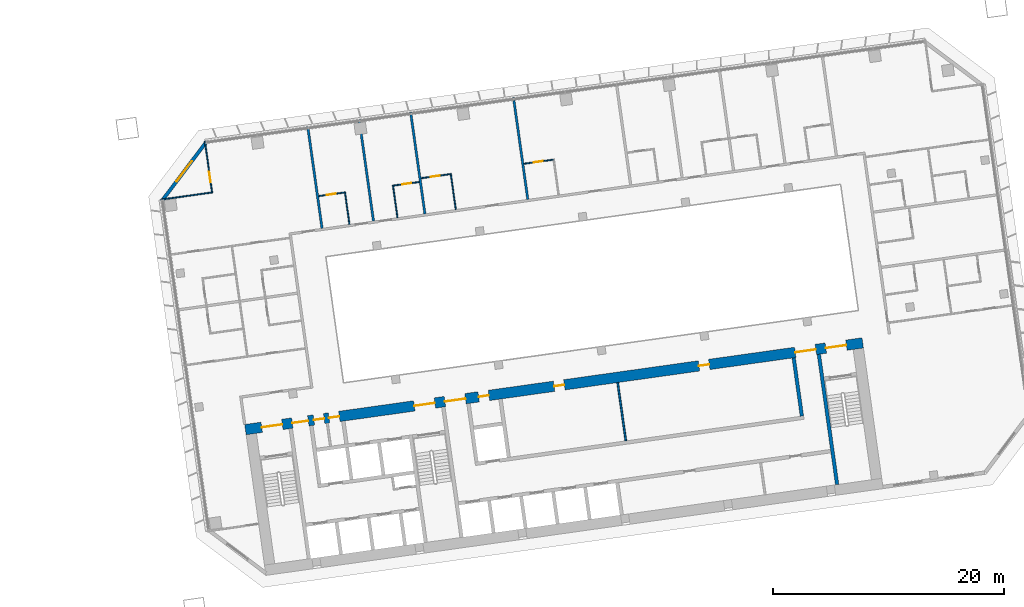
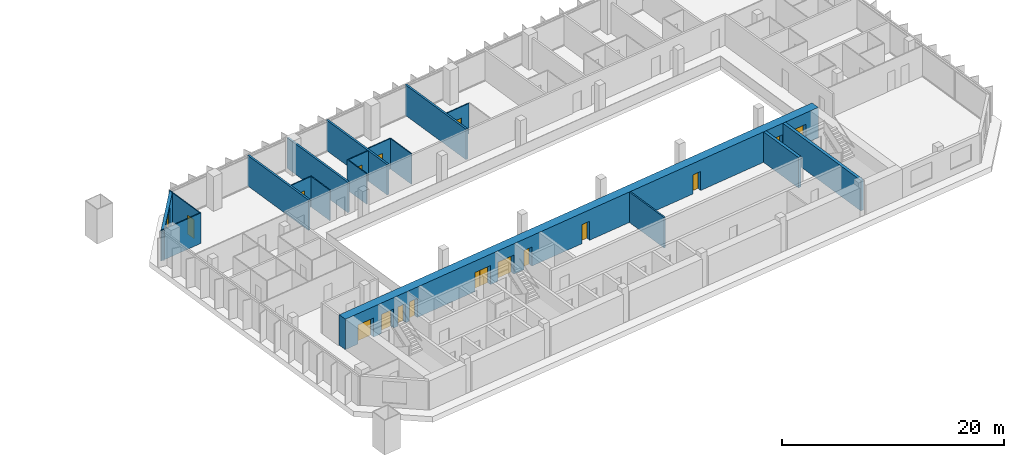
# One storey, part 20 of 25: 18 walls, 16 doors, 1 window, 17 openings.
"""IFC4 building model written with IfcOpenShell, lengths in metres."""

from ifc_helpers import new_model, si_unit, direction, frame, frame_2d, origin, place, context, subcontext, project, spatial, rectangle, extrude, material, layer, layer_set, type_object, element, fill, save


model = new_model("IFC4")

# Units and contexts
model_context = context("Model", 3, precision=1e-05, world=origin(), true_north=direction((0.0, 1.0)))
body_context = subcontext(model_context, "Body", "Model", "MODEL_VIEW")
ifc_project = project(units=[si_unit("LENGTHUNIT", "METRE"), si_unit("AREAUNIT", "SQUARE_METRE"), si_unit("VOLUMEUNIT", "CUBIC_METRE"), si_unit("PLANEANGLEUNIT", "RADIAN"), si_unit("MASSUNIT", "GRAM", prefix="KILO")], contexts=[model_context])

# Site, building, storey
site_placement = place(None, origin())
site = spatial("IfcSite", under=ifc_project, at=site_placement, CompositionType="ELEMENT")
building_placement = place(site_placement, origin())
building = spatial("IfcBuilding", under=site, at=building_placement, Name="Mirante Cascada Hotel Towers", CompositionType="ELEMENT")
storey_placement = place(building_placement, frame((0.0, 0.0, 73.7)))
storey = spatial("IfcBuildingStorey", under=building, at=storey_placement, Name="L15", CompositionType="ELEMENT", Elevation=73.7)

# Walls
ifc_material_1 = material(Name="Fire-rated plasterboard on metal studs")
ifc_layer_1 = layer(ifc_material_1, 0.2)
ifc_layer_set_1 = layer_set([ifc_layer_1], Name="Compartment wall 200 EI 120")
wall_type_1 = type_object("IfcWallType", Name="Compartment wall 200 EI 120", PredefinedType="PARTITIONING", material=ifc_layer_set_1)
for number, where, z_axis, x_axis, name in (
    (1, (40.7243, 18.6939, 0.0), (0.0, 0.0, 1.0), (0.1391794, -0.9902672, 0.0), "Wall 2-L15-35"),
    (2, (45.1805, 19.3202, 0.0), (0.0, 0.0, 1.0), (0.1391794, -0.9902672, 0.0), "Wall 2-L15-37"),
    (3, (49.6367, 19.9465, 0.0), (0.0, 0.0, 1.0), (0.1391794, -0.9902672, 0.0), "Wall 2-L15-39"),
):
    element("IfcWall", number, at=place(storey_placement, frame(where, z_axis=z_axis, x_axis=x_axis)), inside=storey, type_object=wall_type_1, Name=name, PredefinedType="PARTITIONING", context=body_context, shape_type="SweptSolid", body=[
        extrude(rectangle(XDim=8.9, YDim=0.2, at=frame_2d((4.45, 0.0))), origin(), (0.0, 0.0, 1.0), 3.35),
    ])
wall_1_placement = place(storey_placement, frame((58.5492, 21.199, 0.0), z_axis=(0.0, 0.0, 1.0), x_axis=(0.13917, -0.9902685, 0.0)))
element("IfcWall", 4, at=wall_1_placement, inside=storey, type_object=wall_type_1, Name="Wall 2-L15-41", PredefinedType="PARTITIONING", context=body_context, shape_type="SweptSolid", body=[
    extrude(rectangle(XDim=8.8999, YDim=0.2, at=frame_2d((4.45, 0.0))), origin(), (0.0, 0.0, 1.0), 3.35),
])
ifc_material_2 = material(Name="Masonry block", Category="masonry")
ifc_layer_2 = layer(ifc_material_2, 0.15)
ifc_layer_set_2 = layer_set([ifc_layer_2], Name="Core room partition 150 block EI 30")
wall_type_2 = type_object("IfcWallType", Name="Core room partition 150 block EI 30", PredefinedType="PARTITIONING", material=ifc_layer_set_2)
wall_2_placement = place(storey_placement, frame((68.2822, -8.5358, 0.0), z_axis=(0.0, 0.0, 1.0), x_axis=(-0.1391755, 0.9902677, 0.0)))
element("IfcWall", 5, at=wall_2_placement, inside=storey, type_object=wall_type_2, Name="Core wall partition T2 L15 6", PredefinedType="PARTITIONING", context=body_context, shape_type="SweptSolid", body=[
    extrude(rectangle(XDim=5.1, YDim=0.15, at=frame_2d((2.55, 0.0))), origin(), (0.0, 0.0, 1.0), 3.35),
])

# Wall, opening, door
ifc_material_3 = material(Name="Plasterboard on metal studs")
ifc_layer_3 = layer(ifc_material_3, 0.1)
ifc_layer_set_3 = layer_set([ifc_layer_3], Name="Partition 100")
wall_type_3 = type_object("IfcWallType", Name="Partition 100", PredefinedType="PARTITIONING", material=ifc_layer_set_3)
wall_3_placement = place(storey_placement, frame((41.6723, 12.6672, 0.0), z_axis=(0.0, 0.0, 1.0), x_axis=(0.9902643, 0.1391997, 0.0)))
wall_3 = element("IfcWall", 6, at=wall_3_placement, inside=storey, type_object=wall_type_3, Name="Wall 2-L15-20", PredefinedType="PARTITIONING", context=body_context, shape_type="SweptSolid", body=[
    extrude(rectangle(XDim=2.25, YDim=0.1, at=frame_2d((1.125, 0.0))), origin(), (0.0, 0.0, 1.0), 3.35),
])
opening_1_placement = place(wall_3_placement, frame((0.7, 0.0, 0.0)))
opening_1 = element("IfcOpeningElement", 7, at=opening_1_placement, cuts=wall_3, Name="Opening D2-L15-21", PredefinedType="OPENING", context=body_context, shape_type="SweptSolid", body=[
    extrude(rectangle(XDim=0.8, YDim=2.1, at=frame_2d((0.4, 1.05))), frame((0.0, 0.05, 0.0), z_axis=(0.0, -1.0, 0.0), x_axis=(1.0, 0.0, 0.0)), (0.0, 0.0, 1.0), 0.1),
])
ifc_material_4 = material(Name="Timber door leaf", Category="wood")
door_type_1 = type_object("IfcDoorType", Name="Bathroom door DG4 800x2100", OperationType="SINGLE_SWING_LEFT", PredefinedType="DOOR", material=ifc_material_4)
door_1_placement = place(opening_1_placement, origin())
door_1 = element("IfcDoor", 8, at=door_1_placement, inside=storey, type_object=door_type_1, Name="Door D2-L15-21", OperationType="SINGLE_SWING_LEFT", OverallHeight=2.1, OverallWidth=0.8, PredefinedType="DOOR", context=body_context, shape_type="SweptSolid", body=[
    extrude(rectangle(XDim=0.8, YDim=2.1, at=frame_2d((0.4, 1.05))), frame((0.0, 0.025, 0.0), z_axis=(0.0, -1.0, 0.0), x_axis=(1.0, 0.0, 0.0)), (0.0, 0.0, 1.0), 0.05),
])
fill(opening_1, door_1)

wall_4_placement = place(storey_placement, frame((50.3867, 13.8919, 0.0), z_axis=(0.0, 0.0, 1.0), x_axis=(-0.9902705, -0.1391561, 0.0)))
wall_4 = element("IfcWall", 9, at=wall_4_placement, inside=storey, type_object=wall_type_3, Name="Wall 2-L15-21", PredefinedType="PARTITIONING", context=body_context, shape_type="SweptSolid", body=[
    extrude(rectangle(XDim=2.25, YDim=0.1, at=frame_2d((1.125, 0.0))), origin(), (0.0, 0.0, 1.0), 3.35),
])
opening_2_placement = place(wall_4_placement, frame((0.7, 0.0, 0.0)))
opening_2 = element("IfcOpeningElement", 10, at=opening_2_placement, cuts=wall_4, Name="Opening D2-L15-22", PredefinedType="OPENING", context=body_context, shape_type="SweptSolid", body=[
    extrude(rectangle(XDim=0.8, YDim=2.1, at=frame_2d((0.4, 1.05))), frame((0.0, 0.05, 0.0), z_axis=(0.0, -1.0, 0.0), x_axis=(1.0, 0.0, 0.0)), (0.0, 0.0, 1.0), 0.1),
])
door_2_placement = place(opening_2_placement, frame((0.8, 0.0, 0.0), z_axis=(0.0, 0.0, 1.0), x_axis=(-1.0, 0.0, 0.0)))
door_2 = element("IfcDoor", 11, at=door_2_placement, inside=storey, type_object=door_type_1, Name="Door D2-L15-22", OperationType="SINGLE_SWING_RIGHT", OverallHeight=2.1, OverallWidth=0.8, PredefinedType="DOOR", context=body_context, shape_type="SweptSolid", body=[
    extrude(rectangle(XDim=0.8, YDim=2.1, at=frame_2d((0.4, 1.05))), frame((0.0, 0.025, 0.0), z_axis=(0.0, -1.0, 0.0), x_axis=(1.0, 0.0, 0.0)), (0.0, 0.0, 1.0), 0.05),
])
fill(opening_2, door_2)

wall_5_placement = place(storey_placement, frame((53.0682, 14.5717, 0.0), z_axis=(0.0, 0.0, 1.0), x_axis=(-0.9902731, -0.1391371, 0.0)))
wall_5 = element("IfcWall", 12, at=wall_5_placement, inside=storey, type_object=wall_type_3, Name="Wall 2-L15-25", PredefinedType="PARTITIONING", context=body_context, shape_type="SweptSolid", body=[
    extrude(rectangle(XDim=2.55, YDim=0.1, at=frame_2d((1.275, 0.0))), origin(), (0.0, 0.0, 1.0), 3.35),
])
opening_3_placement = place(wall_5_placement, frame((0.9, 0.0, 0.0)))
opening_3 = element("IfcOpeningElement", 13, at=opening_3_placement, cuts=wall_5, Name="Opening D2-L15-27", PredefinedType="OPENING", context=body_context, shape_type="SweptSolid", body=[
    extrude(rectangle(XDim=0.8, YDim=2.1, at=frame_2d((0.4, 1.05))), frame((0.0, 0.05, 0.0), z_axis=(0.0, -1.0, 0.0), x_axis=(1.0, 0.0, 0.0)), (0.0, 0.0, 1.0), 0.1),
])
door_3_placement = place(opening_3_placement, frame((0.8, 0.0, 0.0), z_axis=(0.0, 0.0, 1.0), x_axis=(-1.0, 0.0, 0.0)))
door_3 = element("IfcDoor", 14, at=door_3_placement, inside=storey, type_object=door_type_1, Name="Door D2-L15-27", OperationType="SINGLE_SWING_RIGHT", OverallHeight=2.1, OverallWidth=0.8, PredefinedType="DOOR", context=body_context, shape_type="SweptSolid", body=[
    extrude(rectangle(XDim=0.8, YDim=2.1, at=frame_2d((0.4, 1.05))), frame((0.0, 0.025, 0.0), z_axis=(0.0, -1.0, 0.0), x_axis=(1.0, 0.0, 0.0)), (0.0, 0.0, 1.0), 0.05),
])
fill(opening_3, door_3)

wall_6_placement = place(storey_placement, frame((59.4554, 15.4694, 0.0), z_axis=(0.0, 0.0, 1.0), x_axis=(0.9902677, 0.1391755, 0.0)))
wall_6 = element("IfcWall", 15, at=wall_6_placement, inside=storey, type_object=wall_type_3, Name="Wall 2-L15-26", PredefinedType="PARTITIONING", context=body_context, shape_type="SweptSolid", body=[
    extrude(rectangle(XDim=2.55, YDim=0.1, at=frame_2d((1.275, 0.0))), origin(), (0.0, 0.0, 1.0), 3.35),
])
opening_4_placement = place(wall_6_placement, frame((0.85, 0.0, 0.0)))
opening_4 = element("IfcOpeningElement", 16, at=opening_4_placement, cuts=wall_6, Name="Opening D2-L15-28", PredefinedType="OPENING", context=body_context, shape_type="SweptSolid", body=[
    extrude(rectangle(XDim=0.8, YDim=2.1, at=frame_2d((0.4, 1.05))), frame((0.0, 0.05, 0.0), z_axis=(0.0, -1.0, 0.0), x_axis=(1.0, 0.0, 0.0)), (0.0, 0.0, 1.0), 0.1),
])
door_4_placement = place(opening_4_placement, origin())
door_4 = element("IfcDoor", 17, at=door_4_placement, inside=storey, type_object=door_type_1, Name="Door D2-L15-28", OperationType="SINGLE_SWING_LEFT", OverallHeight=2.1, OverallWidth=0.8, PredefinedType="DOOR", context=body_context, shape_type="SweptSolid", body=[
    extrude(rectangle(XDim=0.8, YDim=2.1, at=frame_2d((0.4, 1.05))), frame((0.0, 0.025, 0.0), z_axis=(0.0, -1.0, 0.0), x_axis=(1.0, 0.0, 0.0)), (0.0, 0.0, 1.0), 0.05),
])
fill(opening_4, door_4)

# Wall
wall_7_placement = place(storey_placement, frame((32.4877, 12.9921, 0.0), z_axis=(0.0, 0.0, 1.0), x_axis=(-0.9902691, -0.1391656, 0.0)))
element("IfcWall", 18, at=wall_7_placement, inside=storey, type_object=wall_type_3, Name="Wall 2-L15-27", PredefinedType="PARTITIONING", context=body_context, shape_type="SweptSolid", body=[
    extrude(rectangle(XDim=4.55, YDim=0.1, at=frame_2d((2.275, 0.0))), origin(), (0.0, 0.0, 1.0), 3.35),
])

# Wall, opening, door
wall_8_placement = place(storey_placement, frame((31.8119, 17.4414, 0.0), z_axis=(0.0, 0.0, 1.0), x_axis=(0.1391684, -0.9902687, 0.0)))
wall_8 = element("IfcWall", 19, at=wall_8_placement, inside=storey, type_object=wall_type_3, Name="Wall 2-L15-31", PredefinedType="PARTITIONING", context=body_context, shape_type="SweptSolid", body=[
    extrude(rectangle(XDim=4.45, YDim=0.1, at=frame_2d((2.225, 0.0))), origin(), (0.0, 0.0, 1.0), 3.35),
])
opening_5_placement = place(wall_8_placement, frame((2.6917, 0.0, 0.0)))
opening_5 = element("IfcOpeningElement", 20, at=opening_5_placement, cuts=wall_8, Name="Opening D2-L15-31", PredefinedType="OPENING", context=body_context, shape_type="SweptSolid", body=[
    extrude(rectangle(XDim=0.9, YDim=2.1, at=frame_2d((0.45, 1.05))), frame((0.0, 0.05, 0.0), z_axis=(0.0, -1.0, 0.0), x_axis=(1.0, 0.0, 0.0)), (0.0, 0.0, 1.0), 0.1),
])
ifc_material_5 = material(Name="Timber door leaf", Category="wood")
door_type_2 = type_object("IfcDoorType", Name="Room door DG3 900x2100", OperationType="SINGLE_SWING_LEFT", PredefinedType="DOOR", material=ifc_material_5)
door_5_placement = place(opening_5_placement, origin())
door_5 = element("IfcDoor", 21, at=door_5_placement, inside=storey, type_object=door_type_2, Name="Door D2-L15-31", OperationType="SINGLE_SWING_LEFT", OverallHeight=2.1, OverallWidth=0.9, PredefinedType="DOOR", context=body_context, shape_type="SweptSolid", body=[
    extrude(rectangle(XDim=0.9, YDim=2.1, at=frame_2d((0.45, 1.05))), frame((0.0, 0.025, 0.0), z_axis=(0.0, -1.0, 0.0), x_axis=(1.0, 0.0, 0.0)), (0.0, 0.0, 1.0), 0.05),
])
fill(opening_5, door_5)

# Walls
wall_9_placement = place(storey_placement, frame((44.3396, 10.2146, 0.0), z_axis=(0.0, 0.0, 1.0), x_axis=(-0.1391613, 0.9902697, 0.0)))
element("IfcWall", 22, at=wall_9_placement, inside=storey, type_object=wall_type_3, Name="Wall 2-L15-36", PredefinedType="PARTITIONING", context=body_context, shape_type="SweptSolid", body=[
    extrude(rectangle(XDim=2.8499, YDim=0.1, at=frame_2d((1.425, 0.0))), origin(), (0.0, 0.0, 1.0), 3.35),
])
wall_10_placement = place(storey_placement, frame((48.4987, 10.7991, 0.0), z_axis=(0.0, 0.0, 1.0), x_axis=(-0.1391564, 0.9902704, 0.0)))
element("IfcWall", 23, at=wall_10_placement, inside=storey, type_object=wall_type_3, Name="Wall 2-L15-38", PredefinedType="PARTITIONING", context=body_context, shape_type="SweptSolid", body=[
    extrude(rectangle(XDim=2.85, YDim=0.1, at=frame_2d((1.425, 0.0))), origin(), (0.0, 0.0, 1.0), 3.35),
])
wall_11_placement = place(storey_placement, frame((53.5491, 11.5089, 0.0), z_axis=(0.0, 0.0, 1.0), x_axis=(-0.1391765, 0.9902676, 0.0)))
element("IfcWall", 24, at=wall_11_placement, inside=storey, type_object=wall_type_3, Name="Wall 2-L15-40", PredefinedType="PARTITIONING", context=body_context, shape_type="SweptSolid", body=[
    extrude(rectangle(XDim=3.15, YDim=0.1, at=frame_2d((1.575, 0.0))), origin(), (0.0, 0.0, 1.0), 3.35),
])

# Wall, opening, window
ifc_material_6 = material(Name="Precast concrete C40/50", Category="concrete")
ifc_layer_4 = layer(ifc_material_6, 0.3)
ifc_layer_set_4 = layer_set([ifc_layer_4], Name="Precast concrete C40/50 cladding wall 300")
wall_type_4 = type_object("IfcWallType", Name="Precast concrete C40/50 cladding wall 300", PredefinedType="STANDARD", material=ifc_layer_set_4)
wall_12_placement = place(storey_placement, frame((31.857, 17.252, 0.0), z_axis=(0.0, 0.0, 1.0), x_axis=(-0.6018141, -0.7986362, 0.0)))
wall_12 = element("IfcWall", 25, at=wall_12_placement, inside=storey, type_object=wall_type_4, Name="Corner cladding wall T2 L15 front inner", PredefinedType="STANDARD", context=body_context, shape_type="SweptSolid", body=[
    extrude(rectangle(XDim=6.1157, YDim=0.3, at=frame_2d((3.0578, 0.0))), origin(), (0.0, 0.0, 1.0), 3.35),
])
opening_6_placement = place(wall_12_placement, frame((1.9578, 0.0, 0.6)))
opening_6 = element("IfcOpeningElement", 26, at=opening_6_placement, cuts=wall_12, Name="Opening W2-15-04", PredefinedType="OPENING", context=body_context, shape_type="SweptSolid", body=[
    extrude(rectangle(XDim=2.2, YDim=2.4, at=frame_2d((1.1, 1.2))), frame((0.0, 0.15, 0.0), z_axis=(0.0, -1.0, 0.0), x_axis=(1.0, 0.0, 0.0)), (0.0, 0.0, 1.0), 0.3),
])
ifc_material_7 = material(Name="Aluminium frame with clear double glazing", Category="aluminium")
window_type = type_object("IfcWindowType", Name="Corner suite window 2200x2400", PartitioningType="DOUBLE_PANEL_VERTICAL", PredefinedType="WINDOW", material=ifc_material_7)
window_placement = place(opening_6_placement, origin())
window = element("IfcWindow", 27, at=window_placement, inside=storey, type_object=window_type, Name="Window W2-15-04", OverallHeight=2.4, OverallWidth=2.2, PartitioningType="SINGLE_PANEL", PredefinedType="WINDOW", context=body_context, shape_type="SweptSolid", body=[
    extrude(rectangle(XDim=2.2, YDim=2.4, at=frame_2d((1.1, 1.2))), frame((0.0, 0.03, 0.0), z_axis=(0.0, -1.0, 0.0), x_axis=(1.0, 0.0, 0.0)), (0.0, 0.0, 1.0), 0.06),
])
fill(opening_6, window)

# Walls
ifc_material_8 = material(Name="Concrete C50/60", Category="concrete")
ifc_layer_5 = layer(ifc_material_8, 0.3)
ifc_layer_set_5 = layer_set([ifc_layer_5], Name="RC core wall 300 C50/60")
wall_type_5 = type_object("IfcWallType", Name="RC core wall 300 C50/60", PredefinedType="SHEAR", material=ifc_layer_set_5)
wall_13_placement = place(storey_placement, frame((86.5877, -12.325, 0.0), z_axis=(0.0, 0.0, 1.0), x_axis=(-0.1391749, 0.9902678, 0.0)))
element("IfcWall", 28, at=wall_13_placement, inside=storey, type_object=wall_type_5, Name="Core wall T2:L15:8", PredefinedType="SHEAR", context=body_context, shape_type="SweptSolid", body=[
    extrude(rectangle(XDim=11.4, YDim=0.3, at=frame_2d((5.7, 0.0))), origin(), (0.0, 0.0, 1.0), 3.35),
])
wall_14_placement = place(storey_placement, frame((83.5323, -6.3925, 0.0), z_axis=(0.0, 0.0, 1.0), x_axis=(-0.1391755, 0.9902677, 0.0)))
element("IfcWall", 29, at=wall_14_placement, inside=storey, type_object=wall_type_5, Name="Core wall T2:L15:34", PredefinedType="SHEAR", context=body_context, shape_type="SweptSolid", body=[
    extrude(rectangle(XDim=5.1, YDim=0.3, at=frame_2d((2.55, 0.0))), origin(), (0.0, 0.0, 1.0), 3.35),
])

# Wall, openings, doors
ifc_material_9 = material(Name="Concrete C50/60", Category="concrete")
ifc_layer_6 = layer(ifc_material_9, 0.9)
ifc_layer_set_6 = layer_set([ifc_layer_6], Name="RC core wall 900 C50/60")
wall_type_6 = type_object("IfcWallType", Name="RC core wall 900 C50/60", PredefinedType="SHEAR", material=ifc_layer_set_6)
wall_15_placement = place(storey_placement, frame((35.326, -7.5629, 0.0), z_axis=(0.0, 0.0, 1.0), x_axis=(0.9902679, 0.139174, 0.0)))
wall_15 = element("IfcWall", 30, at=wall_15_placement, inside=storey, type_object=wall_type_6, Name="Core wall T2:L15:2", PredefinedType="SHEAR", context=body_context, shape_type="SweptSolid", body=[
    extrude(rectangle(XDim=54.0, YDim=0.9, at=frame_2d((27.0, 0.0))), origin(), (0.0, 0.0, 1.0), 3.35),
])
opening_7_placement = place(wall_15_placement, frame((1.425, 0.0, 0.0)))
opening_7 = element("IfcOpeningElement", 31, at=opening_7_placement, cuts=wall_15, Name="Opening D2-15-C14", PredefinedType="OPENING", context=body_context, shape_type="SweptSolid", body=[
    extrude(rectangle(XDim=1.8, YDim=2.1, at=frame_2d((0.9, 1.05))), frame((0.0, 0.45, 0.0), z_axis=(0.0, -1.0, 0.0), x_axis=(1.0, 0.0, 0.0)), (0.0, 0.0, 1.0), 0.9),
])
opening_8_placement = place(wall_15_placement, frame((14.775, 0.0, 0.0)))
opening_8 = element("IfcOpeningElement", 32, at=opening_8_placement, cuts=wall_15, Name="Opening D2-15-C16", PredefinedType="OPENING", context=body_context, shape_type="SweptSolid", body=[
    extrude(rectangle(XDim=1.8, YDim=2.1, at=frame_2d((0.9, 1.05))), frame((0.0, 0.45, 0.0), z_axis=(0.0, -1.0, 0.0), x_axis=(1.0, 0.0, 0.0)), (0.0, 0.0, 1.0), 0.9),
])
opening_9_placement = place(wall_15_placement, frame((50.775, 0.0, 0.0)))
opening_9 = element("IfcOpeningElement", 33, at=opening_9_placement, cuts=wall_15, Name="Opening D2-15-C18", PredefinedType="OPENING", context=body_context, shape_type="SweptSolid", body=[
    extrude(rectangle(XDim=1.8, YDim=2.1, at=frame_2d((0.9, 1.05))), frame((0.0, 0.45, 0.0), z_axis=(0.0, -1.0, 0.0), x_axis=(1.0, 0.0, 0.0)), (0.0, 0.0, 1.0), 0.9),
])
opening_10_placement = place(wall_15_placement, frame((4.1, 0.0, 0.0)))
opening_10 = element("IfcOpeningElement", 34, at=opening_10_placement, cuts=wall_15, Name="Opening D2-15-C19", PredefinedType="OPENING", context=body_context, shape_type="SweptSolid", body=[
    extrude(rectangle(XDim=1.4, YDim=2.1, at=frame_2d((0.7, 1.05))), frame((0.0, 0.45, 0.0), z_axis=(0.0, -1.0, 0.0), x_axis=(1.0, 0.0, 0.0)), (0.0, 0.0, 1.0), 0.9),
])
opening_11_placement = place(wall_15_placement, frame((17.45, 0.0, 0.0)))
opening_11 = element("IfcOpeningElement", 35, at=opening_11_placement, cuts=wall_15, Name="Opening D2-15-C20", PredefinedType="OPENING", context=body_context, shape_type="SweptSolid", body=[
    extrude(rectangle(XDim=1.8, YDim=2.1, at=frame_2d((0.9, 1.05))), frame((0.0, 0.45, 0.0), z_axis=(0.0, -1.0, 0.0), x_axis=(1.0, 0.0, 0.0)), (0.0, 0.0, 1.0), 0.9),
])
opening_12_placement = place(wall_15_placement, frame((48.1, 0.0, 0.0)))
opening_12 = element("IfcOpeningElement", 36, at=opening_12_placement, cuts=wall_15, Name="Opening D2-15-C21", PredefinedType="OPENING", context=body_context, shape_type="SweptSolid", body=[
    extrude(rectangle(XDim=1.8, YDim=2.1, at=frame_2d((0.9, 1.05))), frame((0.0, 0.45, 0.0), z_axis=(0.0, -1.0, 0.0), x_axis=(1.0, 0.0, 0.0)), (0.0, 0.0, 1.0), 0.9),
])
opening_13_placement = place(wall_15_placement, frame((5.9875, 0.0, 0.0)))
opening_13 = element("IfcOpeningElement", 37, at=opening_13_placement, cuts=wall_15, Name="Opening D2-15-C24", PredefinedType="OPENING", context=body_context, shape_type="SweptSolid", body=[
    extrude(rectangle(XDim=0.9, YDim=2.1, at=frame_2d((0.45, 1.05))), frame((0.0, 0.45, 0.0), z_axis=(0.0, -1.0, 0.0), x_axis=(1.0, 0.0, 0.0)), (0.0, 0.0, 1.0), 0.9),
])
opening_14_placement = place(wall_15_placement, frame((7.3125, 0.0, 0.0)))
opening_14 = element("IfcOpeningElement", 38, at=opening_14_placement, cuts=wall_15, Name="Opening D2-15-C25", PredefinedType="OPENING", context=body_context, shape_type="SweptSolid", body=[
    extrude(rectangle(XDim=0.9, YDim=2.1, at=frame_2d((0.45, 1.05))), frame((0.0, 0.45, 0.0), z_axis=(0.0, -1.0, 0.0), x_axis=(1.0, 0.0, 0.0)), (0.0, 0.0, 1.0), 0.9),
])
opening_15_placement = place(wall_15_placement, frame((20.4, 0.0, 0.0)))
opening_15 = element("IfcOpeningElement", 39, at=opening_15_placement, cuts=wall_15, Name="Opening D2-15-C28", PredefinedType="OPENING", context=body_context, shape_type="SweptSolid", body=[
    extrude(rectangle(XDim=0.9, YDim=2.1, at=frame_2d((0.45, 1.05))), frame((0.0, 0.45, 0.0), z_axis=(0.0, -1.0, 0.0), x_axis=(1.0, 0.0, 0.0)), (0.0, 0.0, 1.0), 0.9),
])
opening_16_placement = place(wall_15_placement, frame((27.0, 0.0, 0.0)))
opening_16 = element("IfcOpeningElement", 40, at=opening_16_placement, cuts=wall_15, Name="Opening D2-15-C29", PredefinedType="OPENING", context=body_context, shape_type="SweptSolid", body=[
    extrude(rectangle(XDim=0.9, YDim=2.1, at=frame_2d((0.45, 1.05))), frame((0.0, 0.45, 0.0), z_axis=(0.0, -1.0, 0.0), x_axis=(1.0, 0.0, 0.0)), (0.0, 0.0, 1.0), 0.9),
])
opening_17_placement = place(wall_15_placement, frame((39.675, 0.0, 0.0)))
opening_17 = element("IfcOpeningElement", 41, at=opening_17_placement, cuts=wall_15, Name="Opening D2-15-C30", PredefinedType="OPENING", context=body_context, shape_type="SweptSolid", body=[
    extrude(rectangle(XDim=0.9, YDim=2.1, at=frame_2d((0.45, 1.05))), frame((0.0, 0.45, 0.0), z_axis=(0.0, -1.0, 0.0), x_axis=(1.0, 0.0, 0.0)), (0.0, 0.0, 1.0), 0.9),
])
ifc_material_10 = material(Name="Hollow metal fire door leaf")
door_type_3 = type_object("IfcDoorType", Name="Double fire door 1400x2100 FD60", OperationType="DOUBLE_DOOR_SINGLE_SWING", PredefinedType="DOOR", material=ifc_material_10)
door_6_placement = place(opening_10_placement, origin())
door_6 = element("IfcDoor", 42, at=door_6_placement, inside=storey, type_object=door_type_3, Name="Exit door to gallery T2 L15 19", OperationType="DOUBLE_DOOR_SINGLE_SWING", OverallHeight=2.1, OverallWidth=1.4, PredefinedType="DOOR", context=body_context, shape_type="SweptSolid", body=[
    extrude(rectangle(XDim=0.695, YDim=2.1, at=frame_2d((0.3475, 1.05))), frame((0.0, 0.025, 0.0), z_axis=(0.0, -1.0, 0.0), x_axis=(1.0, 0.0, 0.0)), (0.0, 0.0, 1.0), 0.05),
    extrude(rectangle(XDim=0.695, YDim=2.1, at=frame_2d((1.0525, 1.05))), frame((0.0, 0.025, 0.0), z_axis=(0.0, -1.0, 0.0), x_axis=(1.0, 0.0, 0.0)), (0.0, 0.0, 1.0), 0.05),
])
fill(opening_10, door_6)
ifc_material_11 = material(Name="Hollow metal fire door leaf")
door_type_4 = type_object("IfcDoorType", Name="Double fire door 1800x2100 FD60", OperationType="DOUBLE_DOOR_SINGLE_SWING", PredefinedType="DOOR", material=ifc_material_11)
door_7_placement = place(opening_7_placement, frame((1.8, 0.0, 0.0), z_axis=(0.0, 0.0, 1.0), x_axis=(-1.0, 0.0, 0.0)))
door_7 = element("IfcDoor", 43, at=door_7_placement, inside=storey, type_object=door_type_4, Name="Exit door to gallery T2 L15 14", OperationType="DOUBLE_DOOR_SINGLE_SWING", OverallHeight=2.1, OverallWidth=1.8, PredefinedType="DOOR", context=body_context, shape_type="SweptSolid", body=[
    extrude(rectangle(XDim=0.895, YDim=2.1, at=frame_2d((0.4475, 1.05))), frame((0.0, 0.025, 0.0), z_axis=(0.0, -1.0, 0.0), x_axis=(1.0, 0.0, 0.0)), (0.0, 0.0, 1.0), 0.05),
    extrude(rectangle(XDim=0.895, YDim=2.1, at=frame_2d((1.3525, 1.05))), frame((0.0, 0.025, 0.0), z_axis=(0.0, -1.0, 0.0), x_axis=(1.0, 0.0, 0.0)), (0.0, 0.0, 1.0), 0.05),
])
fill(opening_7, door_7)
door_8_placement = place(opening_8_placement, frame((1.8, 0.0, 0.0), z_axis=(0.0, 0.0, 1.0), x_axis=(-1.0, 0.0, 0.0)))
door_8 = element("IfcDoor", 44, at=door_8_placement, inside=storey, type_object=door_type_4, Name="Exit door to gallery T2 L15 16", OperationType="DOUBLE_DOOR_SINGLE_SWING", OverallHeight=2.1, OverallWidth=1.8, PredefinedType="DOOR", context=body_context, shape_type="SweptSolid", body=[
    extrude(rectangle(XDim=0.895, YDim=2.1, at=frame_2d((0.4475, 1.05))), frame((0.0, 0.025, 0.0), z_axis=(0.0, -1.0, 0.0), x_axis=(1.0, 0.0, 0.0)), (0.0, 0.0, 1.0), 0.05),
    extrude(rectangle(XDim=0.895, YDim=2.1, at=frame_2d((1.3525, 1.05))), frame((0.0, 0.025, 0.0), z_axis=(0.0, -1.0, 0.0), x_axis=(1.0, 0.0, 0.0)), (0.0, 0.0, 1.0), 0.05),
])
fill(opening_8, door_8)
door_9_placement = place(opening_9_placement, frame((1.8, 0.0, 0.0), z_axis=(0.0, 0.0, 1.0), x_axis=(-1.0, 0.0, 0.0)))
door_9 = element("IfcDoor", 45, at=door_9_placement, inside=storey, type_object=door_type_4, Name="Exit door to gallery T2 L15 18", OperationType="DOUBLE_DOOR_SINGLE_SWING", OverallHeight=2.1, OverallWidth=1.8, PredefinedType="DOOR", context=body_context, shape_type="SweptSolid", body=[
    extrude(rectangle(XDim=0.895, YDim=2.1, at=frame_2d((0.4475, 1.05))), frame((0.0, 0.025, 0.0), z_axis=(0.0, -1.0, 0.0), x_axis=(1.0, 0.0, 0.0)), (0.0, 0.0, 1.0), 0.05),
    extrude(rectangle(XDim=0.895, YDim=2.1, at=frame_2d((1.3525, 1.05))), frame((0.0, 0.025, 0.0), z_axis=(0.0, -1.0, 0.0), x_axis=(1.0, 0.0, 0.0)), (0.0, 0.0, 1.0), 0.05),
])
fill(opening_9, door_9)
door_10_placement = place(opening_11_placement, origin())
door_10 = element("IfcDoor", 46, at=door_10_placement, inside=storey, type_object=door_type_4, Name="Exit door to gallery T2 L15 20", OperationType="DOUBLE_DOOR_SINGLE_SWING", OverallHeight=2.1, OverallWidth=1.8, PredefinedType="DOOR", context=body_context, shape_type="SweptSolid", body=[
    extrude(rectangle(XDim=0.895, YDim=2.1, at=frame_2d((0.4475, 1.05))), frame((0.0, 0.025, 0.0), z_axis=(0.0, -1.0, 0.0), x_axis=(1.0, 0.0, 0.0)), (0.0, 0.0, 1.0), 0.05),
    extrude(rectangle(XDim=0.895, YDim=2.1, at=frame_2d((1.3525, 1.05))), frame((0.0, 0.025, 0.0), z_axis=(0.0, -1.0, 0.0), x_axis=(1.0, 0.0, 0.0)), (0.0, 0.0, 1.0), 0.05),
])
fill(opening_11, door_10)
door_11_placement = place(opening_12_placement, origin())
door_11 = element("IfcDoor", 47, at=door_11_placement, inside=storey, type_object=door_type_4, Name="Exit door to gallery T2 L15 21", OperationType="DOUBLE_DOOR_SINGLE_SWING", OverallHeight=2.1, OverallWidth=1.8, PredefinedType="DOOR", context=body_context, shape_type="SweptSolid", body=[
    extrude(rectangle(XDim=0.895, YDim=2.1, at=frame_2d((0.4475, 1.05))), frame((0.0, 0.025, 0.0), z_axis=(0.0, -1.0, 0.0), x_axis=(1.0, 0.0, 0.0)), (0.0, 0.0, 1.0), 0.05),
    extrude(rectangle(XDim=0.895, YDim=2.1, at=frame_2d((1.3525, 1.05))), frame((0.0, 0.025, 0.0), z_axis=(0.0, -1.0, 0.0), x_axis=(1.0, 0.0, 0.0)), (0.0, 0.0, 1.0), 0.05),
])
fill(opening_12, door_11)
ifc_material_12 = material(Name="Hollow metal fire door leaf")
door_type_5 = type_object("IfcDoorType", Name="Fire door 900x2100 FD60", OperationType="NOTDEFINED", PredefinedType="DOOR", material=ifc_material_12)
door_12_placement = place(opening_13_placement, frame((0.9, 0.0, 0.0), z_axis=(0.0, 0.0, 1.0), x_axis=(-1.0, 0.0, 0.0)))
door_12 = element("IfcDoor", 48, at=door_12_placement, inside=storey, type_object=door_type_5, Name="Room door T2 L15 24", OperationType="SINGLE_SWING_LEFT", OverallHeight=2.1, OverallWidth=0.9, PredefinedType="DOOR", context=body_context, shape_type="SweptSolid", body=[
    extrude(rectangle(XDim=0.9, YDim=2.1, at=frame_2d((0.45, 1.05))), frame((0.0, 0.025, 0.0), z_axis=(0.0, -1.0, 0.0), x_axis=(1.0, 0.0, 0.0)), (0.0, 0.0, 1.0), 0.05),
])
fill(opening_13, door_12)
door_13_placement = place(opening_14_placement, frame((0.9, 0.0, 0.0), z_axis=(0.0, 0.0, 1.0), x_axis=(-1.0, 0.0, 0.0)))
door_13 = element("IfcDoor", 49, at=door_13_placement, inside=storey, type_object=door_type_5, Name="Room door T2 L15 25", OperationType="SINGLE_SWING_LEFT", OverallHeight=2.1, OverallWidth=0.9, PredefinedType="DOOR", context=body_context, shape_type="SweptSolid", body=[
    extrude(rectangle(XDim=0.9, YDim=2.1, at=frame_2d((0.45, 1.05))), frame((0.0, 0.025, 0.0), z_axis=(0.0, -1.0, 0.0), x_axis=(1.0, 0.0, 0.0)), (0.0, 0.0, 1.0), 0.05),
])
fill(opening_14, door_13)
door_14_placement = place(opening_15_placement, frame((0.9, 0.0, 0.0), z_axis=(0.0, 0.0, 1.0), x_axis=(-1.0, 0.0, 0.0)))
door_14 = element("IfcDoor", 50, at=door_14_placement, inside=storey, type_object=door_type_5, Name="Room door T2 L15 28", OperationType="SINGLE_SWING_LEFT", OverallHeight=2.1, OverallWidth=0.9, PredefinedType="DOOR", context=body_context, shape_type="SweptSolid", body=[
    extrude(rectangle(XDim=0.9, YDim=2.1, at=frame_2d((0.45, 1.05))), frame((0.0, 0.025, 0.0), z_axis=(0.0, -1.0, 0.0), x_axis=(1.0, 0.0, 0.0)), (0.0, 0.0, 1.0), 0.05),
])
fill(opening_15, door_14)
door_15_placement = place(opening_16_placement, frame((0.9, 0.0, 0.0), z_axis=(0.0, 0.0, 1.0), x_axis=(-1.0, 0.0, 0.0)))
door_15 = element("IfcDoor", 51, at=door_15_placement, inside=storey, type_object=door_type_5, Name="Room door T2 L15 29", OperationType="SINGLE_SWING_RIGHT", OverallHeight=2.1, OverallWidth=0.9, PredefinedType="DOOR", context=body_context, shape_type="SweptSolid", body=[
    extrude(rectangle(XDim=0.9, YDim=2.1, at=frame_2d((0.45, 1.05))), frame((0.0, 0.025, 0.0), z_axis=(0.0, -1.0, 0.0), x_axis=(1.0, 0.0, 0.0)), (0.0, 0.0, 1.0), 0.05),
])
fill(opening_16, door_15)
door_16_placement = place(opening_17_placement, frame((0.9, 0.0, 0.0), z_axis=(0.0, 0.0, 1.0), x_axis=(-1.0, 0.0, 0.0)))
door_16 = element("IfcDoor", 52, at=door_16_placement, inside=storey, type_object=door_type_5, Name="Room door T2 L15 30", OperationType="SINGLE_SWING_RIGHT", OverallHeight=2.1, OverallWidth=0.9, PredefinedType="DOOR", context=body_context, shape_type="SweptSolid", body=[
    extrude(rectangle(XDim=0.9, YDim=2.1, at=frame_2d((0.45, 1.05))), frame((0.0, 0.025, 0.0), z_axis=(0.0, -1.0, 0.0), x_axis=(1.0, 0.0, 0.0)), (0.0, 0.0, 1.0), 0.05),
])
fill(opening_17, door_16)

save(model, "model.ifc")
